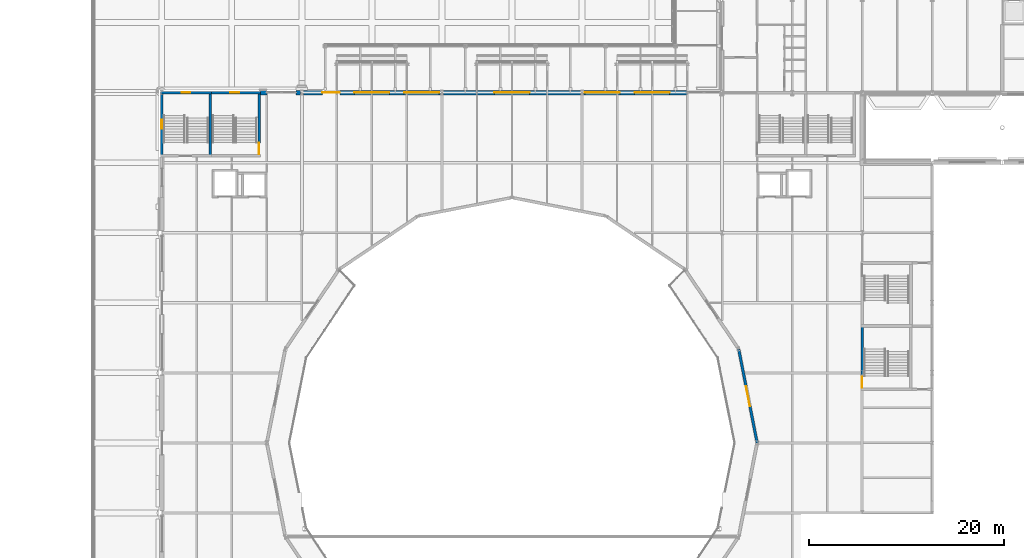
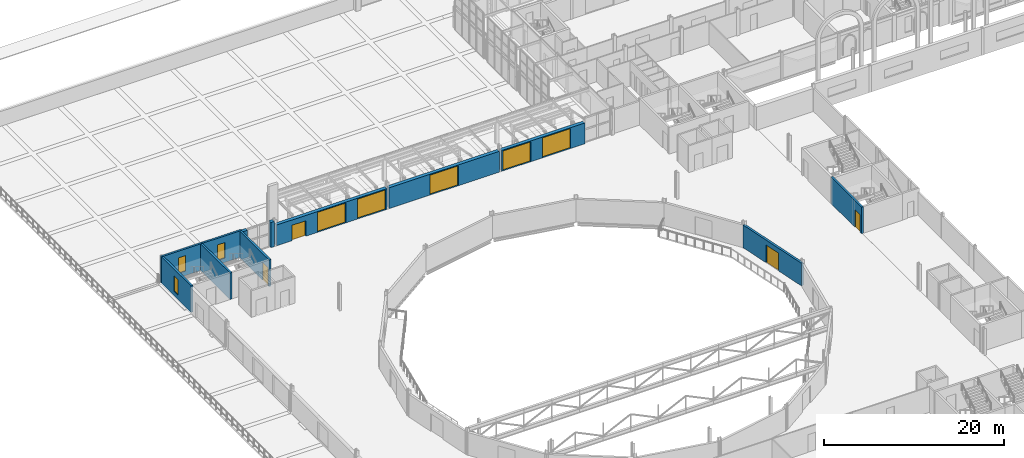
# One storey, part 75 of 143: 12 walls, 9 doors, 3 windows, 12 openings.
"""IFC4 building model written with IfcOpenShell, lengths in metres."""

from ifc_helpers import new_model, si_unit, direction, frame, frame_2d, origin, place, context, subcontext, project, spatial, rectangle, extrude, material, layer, layer_set, type_object, element, fill, save


model = new_model("IFC4")

# Units and contexts
model_context = context("Model", 3, precision=1e-05, world=origin(), true_north=direction((0.0, 1.0)))
body_context = subcontext(model_context, "Body", "Model", "MODEL_VIEW")
ifc_project = project(units=[si_unit("LENGTHUNIT", "METRE"), si_unit("AREAUNIT", "SQUARE_METRE"), si_unit("VOLUMEUNIT", "CUBIC_METRE"), si_unit("PLANEANGLEUNIT", "RADIAN"), si_unit("MASSUNIT", "GRAM", prefix="KILO")], contexts=[model_context])

# Site, building, storey
site_placement = place(None, origin())
site = spatial("IfcSite", under=ifc_project, at=site_placement, CompositionType="ELEMENT")
building_placement = place(site_placement, origin())
building = spatial("IfcBuilding", under=site, at=building_placement, Name="Kupolbacken Congress Centre", CompositionType="ELEMENT")
storey_placement = place(building_placement, frame((0.0, 0.0, 7.199951171875)))
storey = spatial("IfcBuildingStorey", under=building, at=storey_placement, Name="L02", CompositionType="ELEMENT", Elevation=7.199951171875)

# Wall, openings, doors
ifc_material_1 = material(Name="Limestone", Category="masonry")
ifc_layer_1 = layer(ifc_material_1, 0.1201171875)
ifc_material_2 = material(Name="Air cavity", Category="air")
ifc_layer_2 = layer(ifc_material_2, 0.0400390625, ventilated=True)
ifc_material_3 = material(Name="Mineral wool", Category="insulation")
ifc_layer_3 = layer(ifc_material_3, 0.159912109375)
ifc_material_4 = material(Name="Concrete block", Category="masonry")
ifc_layer_4 = layer(ifc_material_4, 0.1201171875)
ifc_layer_set_1 = layer_set([ifc_layer_1, ifc_layer_2, ifc_layer_3, ifc_layer_4], Name="Limestone / Mineral wool / Concrete block")
wall_type_1 = type_object("IfcWallType", Name="EW05 external cavity wall 440", PredefinedType="SOLIDWALL", material=ifc_layer_set_1)
wall_1_placement = place(storey_placement, frame((61.199951171875, 122.39990234375, 0.0), z_axis=(0.0, 0.0, 1.0), x_axis=(-1.0, 0.0, 0.0)))
wall_1 = element("IfcWall", 1, at=wall_1_placement, inside=storey, type_object=wall_type_1, Name="E/P/N/L02/278", PredefinedType="SOLIDWALL", context=body_context, shape_type="SweptSolid", body=[
    extrude(rectangle(XDim=10.64990234375, YDim=0.43994140625, at=frame_2d((5.324951171875, 0.0))), origin(), (0.0, 0.0, 1.0), 2.820068359375),
])
opening_1_placement = place(wall_1_placement, frame((1.800048828125, 0.0, 0.0)))
opening_1 = element("IfcOpeningElement", 2, at=opening_1_placement, cuts=wall_1, Name="Opening D40", PredefinedType="OPENING", context=body_context, shape_type="SweptSolid", body=[
    extrude(rectangle(XDim=3.60009765625, YDim=2.699951171875, at=frame_2d((1.800048828125, 1.35009765625))), frame((0.0, 0.22998046875, 0.0), z_axis=(0.0, -1.0, 0.0), x_axis=(1.0, 0.0, 0.0)), (0.0, 0.0, 1.0), 0.4599609375),
])
opening_2_placement = place(wall_1_placement, frame((6.89990234375, 0.0, 0.0)))
opening_2 = element("IfcOpeningElement", 3, at=opening_2_placement, cuts=wall_1, Name="Opening D40", PredefinedType="OPENING", context=body_context, shape_type="SweptSolid", body=[
    extrude(rectangle(XDim=3.60009765625, YDim=2.699951171875, at=frame_2d((1.800048828125, 1.35009765625))), frame((0.0, 0.22998046875, 0.0), z_axis=(0.0, -1.0, 0.0), x_axis=(1.0, 0.0, 0.0)), (0.0, 0.0, 1.0), 0.4599609375),
])
ifc_material_5 = material(Name="Aluminium framed glazed door", Category="aluminium")
door_type_1 = type_object("IfcDoorType", Name="D40 entrance door pair 3600x2700", OperationType="DOUBLE_DOOR_SINGLE_SWING", PredefinedType="DOOR", material=ifc_material_5)
door_1_placement = place(opening_1_placement, frame((3.60009765625, 0.0, 0.0), z_axis=(0.0, 0.0, 1.0), x_axis=(-1.0, 0.0, 0.0)))
door_1 = element("IfcDoor", 4, at=door_1_placement, inside=storey, type_object=door_type_1, Name="Hill entrance H3", OperationType="DOUBLE_DOOR_SINGLE_SWING", OverallHeight=2.699951171875, OverallWidth=3.60009765625, PredefinedType="DOOR", context=body_context, shape_type="SweptSolid", body=[
    extrude(rectangle(XDim=3.60009765625, YDim=2.699951171875, at=frame_2d((1.800048828125, 1.35009765625))), frame((0.0, 0.02490234375, 0.0), z_axis=(0.0, -1.0, 0.0), x_axis=(1.0, 0.0, 0.0)), (0.0, 0.0, 1.0), 0.050048828125),
])
fill(opening_1, door_1)
door_2_placement = place(opening_2_placement, frame((3.60009765625, 0.0, 0.0), z_axis=(0.0, 0.0, 1.0), x_axis=(-1.0, 0.0, 0.0)))
door_2 = element("IfcDoor", 5, at=door_2_placement, inside=storey, type_object=door_type_1, Name="Hill entrance H5", OperationType="DOUBLE_DOOR_SINGLE_SWING", OverallHeight=2.699951171875, OverallWidth=3.60009765625, PredefinedType="DOOR", context=body_context, shape_type="SweptSolid", body=[
    extrude(rectangle(XDim=3.60009765625, YDim=2.699951171875, at=frame_2d((1.800048828125, 1.35009765625))), frame((0.0, 0.02490234375, 0.0), z_axis=(0.0, -1.0, 0.0), x_axis=(1.0, 0.0, 0.0)), (0.0, 0.0, 1.0), 0.050048828125),
])
fill(opening_2, door_2)

# Wall, opening, door
wall_2_placement = place(storey_placement, frame((50.25, 122.39990234375, 0.0), z_axis=(0.0, 0.0, 1.0), x_axis=(-1.0, 0.0, 0.0)))
wall_2 = element("IfcWall", 6, at=wall_2_placement, inside=storey, type_object=wall_type_1, Name="E/P/N/L02/279", PredefinedType="SOLIDWALL", context=body_context, shape_type="SweptSolid", body=[
    extrude(rectangle(XDim=14.10009765625, YDim=0.43994140625, at=frame_2d((7.050048828125, 0.0))), origin(), (0.0, 0.0, 1.0), 2.820068359375),
])
opening_3_placement = place(wall_2_placement, frame((5.25, 0.0, 0.0)))
opening_3 = element("IfcOpeningElement", 7, at=opening_3_placement, cuts=wall_2, Name="Opening D40", PredefinedType="OPENING", context=body_context, shape_type="SweptSolid", body=[
    extrude(rectangle(XDim=3.60009765625, YDim=2.699951171875, at=frame_2d((1.800048828125, 1.35009765625))), frame((0.0, 0.22998046875, 0.0), z_axis=(0.0, -1.0, 0.0), x_axis=(1.0, 0.0, 0.0)), (0.0, 0.0, 1.0), 0.4599609375),
])
door_3_placement = place(opening_3_placement, frame((3.60009765625, 0.0, 0.0), z_axis=(0.0, 0.0, 1.0), x_axis=(-1.0, 0.0, 0.0)))
door_3 = element("IfcDoor", 8, at=door_3_placement, inside=storey, type_object=door_type_1, Name="Hill entrance H2", OperationType="DOUBLE_DOOR_SINGLE_SWING", OverallHeight=2.699951171875, OverallWidth=3.60009765625, PredefinedType="DOOR", context=body_context, shape_type="SweptSolid", body=[
    extrude(rectangle(XDim=3.60009765625, YDim=2.699951171875, at=frame_2d((1.800048828125, 1.35009765625))), frame((0.0, 0.02490234375, 0.0), z_axis=(0.0, -1.0, 0.0), x_axis=(1.0, 0.0, 0.0)), (0.0, 0.0, 1.0), 0.050048828125),
])
fill(opening_3, door_3)

# Wall, openings, doors
wall_3_placement = place(storey_placement, frame((35.85009765625, 122.39990234375, 0.0), z_axis=(0.0, 0.0, 1.0), x_axis=(-1.0, 0.0, 0.0)))
wall_3 = element("IfcWall", 9, at=wall_3_placement, inside=storey, type_object=wall_type_1, Name="E/P/N/L02/280", PredefinedType="SOLIDWALL", context=body_context, shape_type="SweptSolid", body=[
    extrude(rectangle(XDim=14.10009765625, YDim=0.43994140625, at=frame_2d((7.050048828125, 0.0))), origin(), (0.0, 0.0, 1.0), 2.820068359375),
])
opening_4_placement = place(wall_3_placement, frame((0.14990234375, 0.0, 0.0)))
opening_4 = element("IfcOpeningElement", 10, at=opening_4_placement, cuts=wall_3, Name="Opening D40", PredefinedType="OPENING", context=body_context, shape_type="SweptSolid", body=[
    extrude(rectangle(XDim=3.60009765625, YDim=2.699951171875, at=frame_2d((1.800048828125, 1.35009765625))), frame((0.0, 0.22998046875, 0.0), z_axis=(0.0, -1.0, 0.0), x_axis=(1.0, 0.0, 0.0)), (0.0, 0.0, 1.0), 0.4599609375),
])
opening_5_placement = place(wall_3_placement, frame((5.25, 0.0, 0.0)))
opening_5 = element("IfcOpeningElement", 11, at=opening_5_placement, cuts=wall_3, Name="Opening D40", PredefinedType="OPENING", context=body_context, shape_type="SweptSolid", body=[
    extrude(rectangle(XDim=3.60009765625, YDim=2.699951171875, at=frame_2d((1.800048828125, 1.35009765625))), frame((0.0, 0.22998046875, 0.0), z_axis=(0.0, -1.0, 0.0), x_axis=(1.0, 0.0, 0.0)), (0.0, 0.0, 1.0), 0.4599609375),
])
opening_6_placement = place(wall_3_placement, frame((10.35009765625, 0.0, 0.0)))
opening_6 = element("IfcOpeningElement", 12, at=opening_6_placement, cuts=wall_3, Name="Opening D44", PredefinedType="OPENING", context=body_context, shape_type="SweptSolid", body=[
    extrude(rectangle(XDim=1.800048828125, YDim=2.10009765625, at=frame_2d((0.89990234375, 1.050048828125))), frame((0.0, 0.22998046875, 0.0), z_axis=(0.0, -1.0, 0.0), x_axis=(1.0, 0.0, 0.0)), (0.0, 0.0, 1.0), 0.4599609375),
])
door_4_placement = place(opening_4_placement, frame((3.60009765625, 0.0, 0.0), z_axis=(0.0, 0.0, 1.0), x_axis=(-1.0, 0.0, 0.0)))
door_4 = element("IfcDoor", 13, at=door_4_placement, inside=storey, type_object=door_type_1, Name="Hill entrance H4", OperationType="DOUBLE_DOOR_SINGLE_SWING", OverallHeight=2.699951171875, OverallWidth=3.60009765625, PredefinedType="DOOR", context=body_context, shape_type="SweptSolid", body=[
    extrude(rectangle(XDim=3.60009765625, YDim=2.699951171875, at=frame_2d((1.800048828125, 1.35009765625))), frame((0.0, 0.02490234375, 0.0), z_axis=(0.0, -1.0, 0.0), x_axis=(1.0, 0.0, 0.0)), (0.0, 0.0, 1.0), 0.050048828125),
])
fill(opening_4, door_4)
door_5_placement = place(opening_5_placement, frame((3.60009765625, 0.0, 0.0), z_axis=(0.0, 0.0, 1.0), x_axis=(-1.0, 0.0, 0.0)))
door_5 = element("IfcDoor", 14, at=door_5_placement, inside=storey, type_object=door_type_1, Name="Hill entrance H1", OperationType="DOUBLE_DOOR_SINGLE_SWING", OverallHeight=2.699951171875, OverallWidth=3.60009765625, PredefinedType="DOOR", context=body_context, shape_type="SweptSolid", body=[
    extrude(rectangle(XDim=3.60009765625, YDim=2.699951171875, at=frame_2d((1.800048828125, 1.35009765625))), frame((0.0, 0.02490234375, 0.0), z_axis=(0.0, -1.0, 0.0), x_axis=(1.0, 0.0, 0.0)), (0.0, 0.0, 1.0), 0.050048828125),
])
fill(opening_5, door_5)
ifc_material_6 = material(Name="Steel fire door leaf", Category="steel")
door_type_2 = type_object("IfcDoorType", Name="D44 stair door 1800x2100", OperationType="DOUBLE_DOOR_SINGLE_SWING", PredefinedType="DOOR", material=ifc_material_6)
door_6_placement = place(opening_6_placement, frame((1.800048828125, 0.0, 0.0), z_axis=(0.0, 0.0, 1.0), x_axis=(-1.0, 0.0, 0.0)))
door_6 = element("IfcDoor", 15, at=door_6_placement, inside=storey, type_object=door_type_2, Name="Final exit U3", OperationType="DOUBLE_DOOR_SINGLE_SWING", OverallHeight=2.10009765625, OverallWidth=1.800048828125, PredefinedType="DOOR", context=body_context, shape_type="SweptSolid", body=[
    extrude(rectangle(XDim=1.800048828125, YDim=2.10009765625, at=frame_2d((0.89990234375, 1.050048828125))), frame((0.0, 0.02490234375, 0.0), z_axis=(0.0, -1.0, 0.0), x_axis=(1.0, 0.0, 0.0)), (0.0, 0.0, 1.0), 0.050048828125),
])
fill(opening_6, door_6)

# Walls
wall_4_placement = place(storey_placement, frame((21.449951171875, 122.39990234375, 0.0), z_axis=(0.0, 0.0, 1.0), x_axis=(-1.0, 0.0, 0.0)))
element("IfcWall", 16, at=wall_4_placement, inside=storey, type_object=wall_type_1, Name="E/P/N/L02/281", PredefinedType="SOLIDWALL", context=body_context, shape_type="SweptSolid", body=[
    extrude(rectangle(XDim=0.449951171875, YDim=0.43994140625, at=frame_2d((0.22509765625, 0.0))), origin(), (0.0, 0.0, 1.0), 3.420166015625),
])
wall_5_placement = place(storey_placement, frame((18.0, 122.39990234375, 0.0), z_axis=(0.0, 0.0, 1.0), x_axis=(-1.0, 0.0, 0.0)))
element("IfcWall", 17, at=wall_5_placement, inside=storey, type_object=wall_type_1, Name="E/P/N/L02/283", PredefinedType="SOLIDWALL", context=body_context, shape_type="SweptSolid", body=[
    extrude(rectangle(XDim=0.675048828125, YDim=0.43994140625, at=frame_2d((0.33740234375, 0.0))), origin(), (0.0, 0.0, 1.0), 3.420166015625),
])

# Wall, opening, door
ifc_material_7 = material(Name="Gypsum board", Category="drywall")
ifc_layer_5 = layer(ifc_material_7, 0.27490234375)
ifc_layer_set_2 = layer_set([ifc_layer_5], Name="Gypsum board")
wall_type_2 = type_object("IfcWallType", Name="P12 partition 275", PredefinedType="PARTITIONING", material=ifc_layer_set_2)
wall_6_placement = place(storey_placement, frame((68.39990234375, 86.39990234375, 0.0), z_axis=(0.0, 0.0, 1.0), x_axis=(-0.1931699463, 0.98116531321, 0.0)))
wall_6 = element("IfcWall", 18, at=wall_6_placement, inside=storey, type_object=wall_type_2, Name="PD/L02/W064", PredefinedType="PARTITIONING", context=body_context, shape_type="SweptSolid", body=[
    extrude(rectangle(XDim=9.83544921875, YDim=0.27490234375, at=frame_2d((4.917724609375, 0.0))), origin(), (0.0, 0.0, 1.0), 3.070068359375),
])
opening_7_placement = place(wall_6_placement, frame((3.85009765625, 0.0, 0.0)))
opening_7 = element("IfcOpeningElement", 19, at=opening_7_placement, cuts=wall_6, Name="Opening 2.P22", PredefinedType="OPENING", context=body_context, shape_type="SweptSolid", body=[
    extrude(rectangle(XDim=2.10009765625, YDim=2.39990234375, at=frame_2d((1.050048828125, 1.199951171875))), frame((0.0, 0.1474609375, 0.0), z_axis=(0.0, -1.0, 0.0), x_axis=(1.0, 0.0, 0.0)), (0.0, 0.0, 1.0), 0.294921875),
])
ifc_material_8 = material(Name="Steel fire door leaf", Category="steel")
door_type_3 = type_object("IfcDoorType", Name="D17 fire door 2100x2400", OperationType="DOUBLE_DOOR_SINGLE_SWING", PredefinedType="DOOR", material=ifc_material_8)
door_7_placement = place(opening_7_placement, frame((2.10009765625, 0.0, 0.0), z_axis=(0.0, 0.0, 1.0), x_axis=(-1.0, 0.0, 0.0)))
door_7 = element("IfcDoor", 20, at=door_7_placement, inside=storey, type_object=door_type_3, Name="PD/L02/W064/D2P22", OperationType="DOUBLE_DOOR_SINGLE_SWING", OverallHeight=2.39990234375, OverallWidth=2.10009765625, PredefinedType="DOOR", context=body_context, shape_type="SweptSolid", body=[
    extrude(rectangle(XDim=2.10009765625, YDim=2.39990234375, at=frame_2d((1.050048828125, 1.199951171875))), frame((0.0, 0.02490234375, 0.0), z_axis=(0.0, -1.0, 0.0), x_axis=(1.0, 0.0, 0.0)), (0.0, 0.0, 1.0), 0.050048828125),
])
fill(opening_7, door_7)

ifc_material_9 = material(Name="Concrete C40/50", Category="concrete")
ifc_layer_6 = layer(ifc_material_9, 0.25)
ifc_layer_set_3 = layer_set([ifc_layer_6], Name="Concrete C40/50")
wall_type_3 = type_object("IfcWallType", Name="WC2 RC stair enclosure wall 250", PredefinedType="SHEAR", material=ifc_layer_set_3)
wall_7_placement = place(storey_placement, frame((79.199951171875, 98.550048828125, 0.0), z_axis=(0.0, 0.0, 1.0), x_axis=(0.0, -1.0, 0.0)))
wall_7 = element("IfcWall", 21, at=wall_7_placement, inside=storey, type_object=wall_type_3, Name="Stair enclosure wall L02-056", PredefinedType="SHEAR", context=body_context, shape_type="SweptSolid", body=[
    extrude(rectangle(XDim=6.775146484375, YDim=0.25, at=frame_2d((3.3876953125, 0.0))), origin(), (0.0, 0.0, 1.0), 3.60009765625),
])
opening_8_placement = place(wall_7_placement, frame((5.300048828125, 0.0, 0.0)))
opening_8 = element("IfcOpeningElement", 22, at=opening_8_placement, cuts=wall_7, Name="Opening 2.L03", PredefinedType="OPENING", context=body_context, shape_type="SweptSolid", body=[
    extrude(rectangle(XDim=1.199951171875, YDim=2.39990234375, at=frame_2d((0.60009765625, 1.199951171875))), frame((0.0, 0.135009765625, 0.0), z_axis=(0.0, -1.0, 0.0), x_axis=(1.0, 0.0, 0.0)), (0.0, 0.0, 1.0), 0.27001953125),
])
ifc_material_10 = material(Name="Steel fire door leaf", Category="steel")
door_type_4 = type_object("IfcDoorType", Name="D9 fire door 1200x2400", OperationType="SINGLE_SWING_LEFT", PredefinedType="DOOR", material=ifc_material_10)
door_8_placement = place(opening_8_placement, origin())
door_8 = element("IfcDoor", 23, at=door_8_placement, inside=storey, type_object=door_type_4, Name="S/core/L02/056/D2L03", OperationType="SINGLE_SWING_LEFT", OverallHeight=2.39990234375, OverallWidth=1.199951171875, PredefinedType="DOOR", context=body_context, shape_type="SweptSolid", body=[
    extrude(rectangle(XDim=1.199951171875, YDim=2.39990234375, at=frame_2d((0.60009765625, 1.199951171875))), frame((0.0, 0.02490234375, 0.0), z_axis=(0.0, -1.0, 0.0), x_axis=(1.0, 0.0, 0.0)), (0.0, 0.0, 1.0), 0.050048828125),
])
fill(opening_8, door_8)

# Wall
wall_8_placement = place(storey_placement, frame((12.199951171875, 115.77490234375, 0.0), z_axis=(0.0, 0.0, 1.0), x_axis=(0.0, 1.0, 0.0)))
element("IfcWall", 24, at=wall_8_placement, inside=storey, type_object=wall_type_3, Name="Stair enclosure wall L02-066", PredefinedType="SHEAR", context=body_context, shape_type="SweptSolid", body=[
    extrude(rectangle(XDim=6.75, YDim=0.25, at=frame_2d((3.375, 0.0))), origin(), (0.0, 0.0, 1.0), 3.60009765625),
])

# Wall, opening, door
wall_9_placement = place(storey_placement, frame((17.199951171875, 115.77490234375, 0.0), z_axis=(0.0, 0.0, 1.0), x_axis=(0.0, 1.0, 0.0)))
wall_9 = element("IfcWall", 25, at=wall_9_placement, inside=storey, type_object=wall_type_3, Name="Stair enclosure wall L02-067", PredefinedType="SHEAR", context=body_context, shape_type="SweptSolid", body=[
    extrude(rectangle(XDim=6.75, YDim=0.25, at=frame_2d((3.375, 0.0))), origin(), (0.0, 0.0, 1.0), 3.60009765625),
])
opening_9_placement = place(wall_9_placement, frame((0.27490234375, 0.0, 0.0)))
opening_9 = element("IfcOpeningElement", 26, at=opening_9_placement, cuts=wall_9, Name="Opening 2.P06", PredefinedType="OPENING", context=body_context, shape_type="SweptSolid", body=[
    extrude(rectangle(XDim=1.199951171875, YDim=2.39990234375, at=frame_2d((0.60009765625, 1.199951171875))), frame((0.0, 0.135009765625, 0.0), z_axis=(0.0, -1.0, 0.0), x_axis=(1.0, 0.0, 0.0)), (0.0, 0.0, 1.0), 0.27001953125),
])
door_9_placement = place(opening_9_placement, origin())
door_9 = element("IfcDoor", 27, at=door_9_placement, inside=storey, type_object=door_type_4, Name="S/core/L02/067/D2P06", OperationType="SINGLE_SWING_RIGHT", OverallHeight=2.39990234375, OverallWidth=1.199951171875, PredefinedType="DOOR", context=body_context, shape_type="SweptSolid", body=[
    extrude(rectangle(XDim=1.199951171875, YDim=2.39990234375, at=frame_2d((0.60009765625, 1.199951171875))), frame((0.0, 0.02490234375, 0.0), z_axis=(0.0, -1.0, 0.0), x_axis=(1.0, 0.0, 0.0)), (0.0, 0.0, 1.0), 0.050048828125),
])
fill(opening_9, door_9)

# Wall, opening, window
wall_10_placement = place(storey_placement, frame((7.199951171875, 122.52490234375, 0.0), z_axis=(0.0, 0.0, 1.0), x_axis=(0.0, -1.0, 0.0)))
wall_10 = element("IfcWall", 28, at=wall_10_placement, inside=storey, type_object=wall_type_3, Name="Stair enclosure wall L02-072", PredefinedType="SHEAR", context=body_context, shape_type="SweptSolid", body=[
    extrude(rectangle(XDim=6.75, YDim=0.25, at=frame_2d((3.375, 0.0))), origin(), (0.0, 0.0, 1.0), 3.60009765625),
])
opening_10_placement = place(wall_10_placement, frame((2.925048828125, 0.0, 0.60009765625)))
opening_10 = element("IfcOpeningElement", 29, at=opening_10_placement, cuts=wall_10, Name="Opening W28", PredefinedType="OPENING", context=body_context, shape_type="SweptSolid", body=[
    extrude(rectangle(XDim=0.89990234375, YDim=2.10009765625, at=frame_2d((0.449951171875, 1.050048828125))), frame((0.0, 0.135009765625, 0.0), z_axis=(0.0, -1.0, 0.0), x_axis=(1.0, 0.0, 0.0)), (0.0, 0.0, 1.0), 0.27001953125),
])
ifc_material_11 = material(Name="Aluminium frame with double or triple glazing", Category="aluminium")
window_type = type_object("IfcWindowType", Name="W28 window 900x2100", PartitioningType="SINGLE_PANEL", PredefinedType="WINDOW", material=ifc_material_11)
window_1_placement = place(opening_10_placement, origin())
window_1 = element("IfcWindow", 30, at=window_1_placement, inside=storey, type_object=window_type, Name="S/core/L02/072/W1/L02", OverallHeight=2.10009765625, OverallWidth=0.89990234375, PartitioningType="SINGLE_PANEL", PredefinedType="WINDOW", context=body_context, shape_type="SweptSolid", body=[
    extrude(rectangle(XDim=0.89990234375, YDim=2.10009765625, at=frame_2d((0.449951171875, 1.050048828125))), frame((0.0, 0.030029296875, 0.0), z_axis=(0.0, -1.0, 0.0), x_axis=(1.0, 0.0, 0.0)), (0.0, 0.0, 1.0), 0.06005859375),
])
fill(opening_10, window_1)

wall_11_placement = place(storey_placement, frame((12.324951171875, 122.39990234375, 0.0), z_axis=(0.0, 0.0, 1.0), x_axis=(-1.0, 0.0, 0.0)))
wall_11 = element("IfcWall", 31, at=wall_11_placement, inside=storey, type_object=wall_type_3, Name="Stair enclosure wall L02-073", PredefinedType="SHEAR", context=body_context, shape_type="SweptSolid", body=[
    extrude(rectangle(XDim=5.25, YDim=0.25, at=frame_2d((2.625, 0.0))), origin(), (0.0, 0.0, 1.0), 3.60009765625),
])
opening_11_placement = place(wall_11_placement, frame((2.175048828125, 0.0, 0.60009765625)))
opening_11 = element("IfcOpeningElement", 32, at=opening_11_placement, cuts=wall_11, Name="Opening W28", PredefinedType="OPENING", context=body_context, shape_type="SweptSolid", body=[
    extrude(rectangle(XDim=0.89990234375, YDim=2.10009765625, at=frame_2d((0.449951171875, 1.050048828125))), frame((0.0, 0.135009765625, 0.0), z_axis=(0.0, -1.0, 0.0), x_axis=(1.0, 0.0, 0.0)), (0.0, 0.0, 1.0), 0.27001953125),
])
window_2_placement = place(opening_11_placement, origin())
window_2 = element("IfcWindow", 33, at=window_2_placement, inside=storey, type_object=window_type, Name="S/core/L02/073/W1/L02", OverallHeight=2.10009765625, OverallWidth=0.89990234375, PartitioningType="SINGLE_PANEL", PredefinedType="WINDOW", context=body_context, shape_type="SweptSolid", body=[
    extrude(rectangle(XDim=0.89990234375, YDim=2.10009765625, at=frame_2d((0.449951171875, 1.050048828125))), frame((0.0, 0.030029296875, 0.0), z_axis=(0.0, -1.0, 0.0), x_axis=(1.0, 0.0, 0.0)), (0.0, 0.0, 1.0), 0.06005859375),
])
fill(opening_11, window_2)

wall_12_placement = place(storey_placement, frame((17.324951171875, 122.39990234375, 0.0), z_axis=(0.0, 0.0, 1.0), x_axis=(-1.0, 0.0, 0.0)))
wall_12 = element("IfcWall", 34, at=wall_12_placement, inside=storey, type_object=wall_type_3, Name="Stair enclosure wall L02-074", PredefinedType="SHEAR", context=body_context, shape_type="SweptSolid", body=[
    extrude(rectangle(XDim=5.0, YDim=0.25, at=frame_2d((2.5, 0.0))), origin(), (0.0, 0.0, 1.0), 3.60009765625),
])
opening_12_placement = place(wall_12_placement, frame((2.175048828125, 0.0, 0.60009765625)))
opening_12 = element("IfcOpeningElement", 35, at=opening_12_placement, cuts=wall_12, Name="Opening W28", PredefinedType="OPENING", context=body_context, shape_type="SweptSolid", body=[
    extrude(rectangle(XDim=0.89990234375, YDim=2.10009765625, at=frame_2d((0.449951171875, 1.050048828125))), frame((0.0, 0.135009765625, 0.0), z_axis=(0.0, -1.0, 0.0), x_axis=(1.0, 0.0, 0.0)), (0.0, 0.0, 1.0), 0.27001953125),
])
window_3_placement = place(opening_12_placement, origin())
window_3 = element("IfcWindow", 36, at=window_3_placement, inside=storey, type_object=window_type, Name="S/core/L02/074/W1/L02", OverallHeight=2.10009765625, OverallWidth=0.89990234375, PartitioningType="SINGLE_PANEL", PredefinedType="WINDOW", context=body_context, shape_type="SweptSolid", body=[
    extrude(rectangle(XDim=0.89990234375, YDim=2.10009765625, at=frame_2d((0.449951171875, 1.050048828125))), frame((0.0, 0.030029296875, 0.0), z_axis=(0.0, -1.0, 0.0), x_axis=(1.0, 0.0, 0.0)), (0.0, 0.0, 1.0), 0.06005859375),
])
fill(opening_12, window_3)

save(model, "model.ifc")
